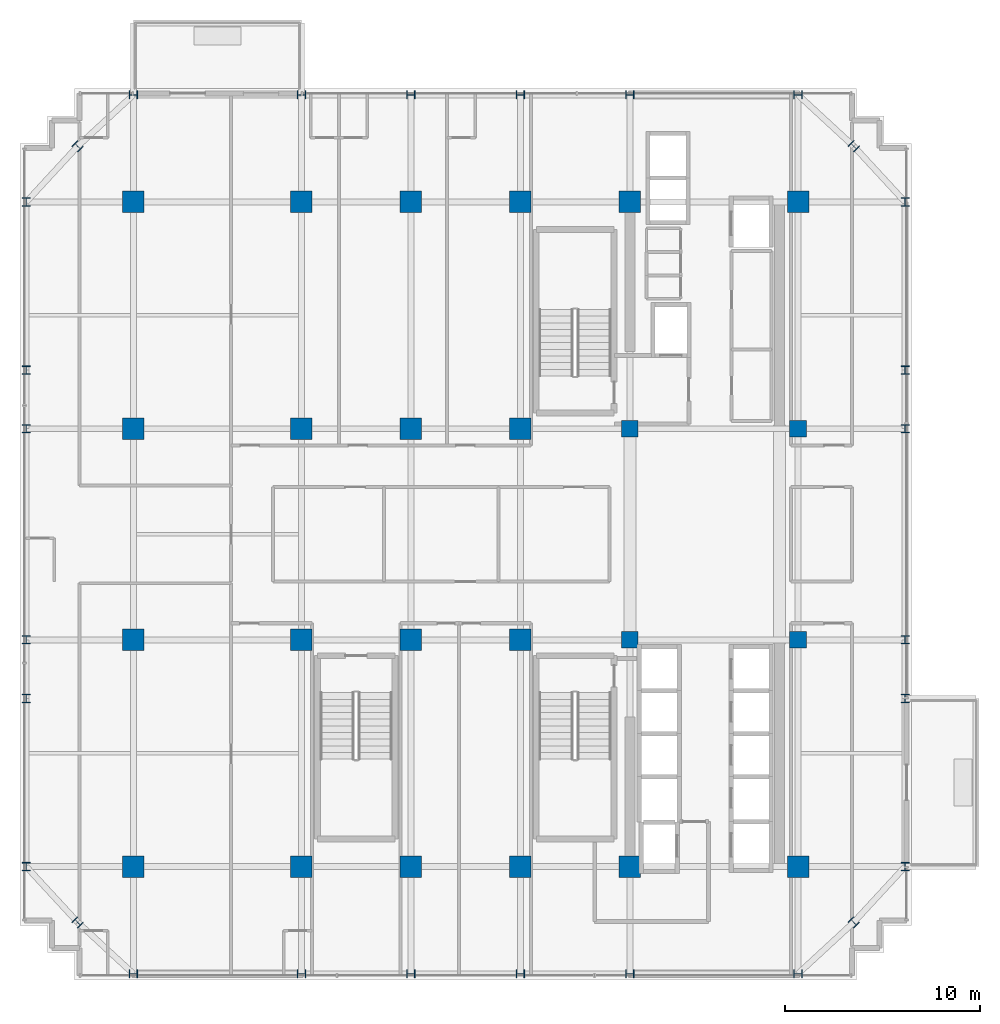
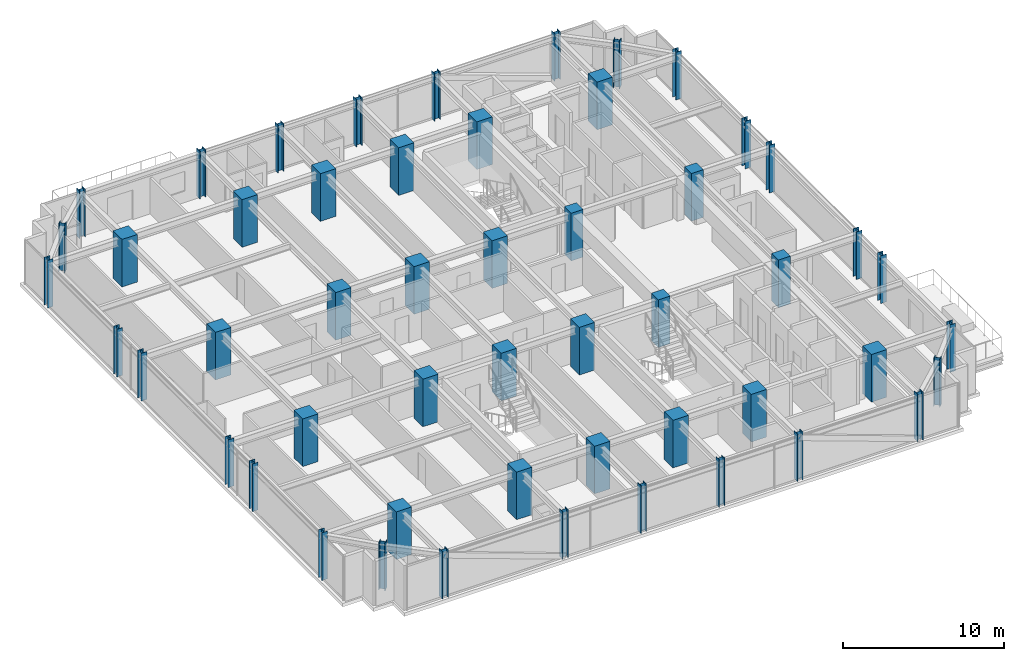
# One storey, part 1 of 29: 52 columns.
"""IFC4 building model written with IfcOpenShell, lengths in metres."""

from ifc_helpers import new_model, si_unit, direction, frame, origin, origin_2d, place, context, subcontext, project, spatial, rectangle, i_section, extrude, source, transform, mapped, material, material_profile, profile_set, type_object, element, save


model = new_model("IFC4")

# Units and contexts
model_context = context("Model", 3, precision=1e-05, world=origin(), true_north=direction((0.0, 1.0)))
body_context = subcontext(model_context, "Body", "Model", "MODEL_VIEW")
ifc_project = project(units=[si_unit("LENGTHUNIT", "METRE"), si_unit("AREAUNIT", "SQUARE_METRE"), si_unit("VOLUMEUNIT", "CUBIC_METRE"), si_unit("PLANEANGLEUNIT", "RADIAN"), si_unit("MASSUNIT", "GRAM", prefix="KILO")], contexts=[model_context])

# Site, building, storey
site_placement = place(None, origin())
site = spatial("IfcSite", under=ifc_project, at=site_placement, CompositionType="ELEMENT")
building_placement = place(site_placement, origin())
building = spatial("IfcBuilding", under=site, at=building_placement, Name="Nahalor Promenade Grand Hotel", CompositionType="ELEMENT")
storey_placement = place(building_placement, frame((0.0, 0.0, 189.14990234375)))
storey = spatial("IfcBuildingStorey", under=building, at=storey_placement, Name="L48", CompositionType="ELEMENT", Elevation=189.14990234375)

# Columns
ifc_material_1 = material(Name="Concrete B-70 (C60/75)", Category="concrete")
ifc_material_profile_1 = material_profile(ifc_material_1, rectangle(XDim=0.85, YDim=0.85, at=origin_2d()), Name="RC 850x850")
ifc_profile_set_1 = profile_set([ifc_material_profile_1], Name="Concrete B-70 (C60/75)")
column_type_1 = type_object("IfcColumnType", Name="Col-Pilaster-850", PredefinedType="PILASTER", material=ifc_profile_set_1)
shared_shape_1 = source(origin(), body_context, "Body", "SweptSolid", [
    extrude(rectangle(XDim=0.85, YDim=0.85, at=origin_2d()), origin(), (0.0, 0.0, 1.0), 3.60498046875),
])
for number, where, z_axis, x_axis, name in (
    (1, (8.39990234375, -5.39990234375, 0.0), (0.0, 0.0, 1.0), (1.0, 0.0, 0.0), "COL-L48-I41"),
    (2, (8.39990234375, 5.39990234375, 0.0), (0.0, 0.0, 1.0), (1.0, 0.0, 0.0), "COL-L48-I42"),
    (3, (17.0, -5.39990234375, 0.0), (0.0, 0.0, 1.0), (1.0, 0.0, 0.0), "COL-L48-I51"),
    (4, (17.0, 5.39990234375, 0.0), (0.0, 0.0, 1.0), (1.0, 0.0, 0.0), "COL-L48-I52"),
):
    element("IfcColumn", number, at=place(storey_placement, frame(where, z_axis=z_axis, x_axis=x_axis)), inside=storey, type_object=column_type_1, Name=name, PredefinedType="PILASTER", context=body_context, shape_type="MappedRepresentation", body=[
        mapped(shared_shape_1, transform((0.0, 0.0, 0.0), scale=1.0)),
    ])
ifc_material_2 = material(Name="Concrete B-60 (C50/60)", Category="concrete")
ifc_material_profile_2 = material_profile(ifc_material_2, rectangle(XDim=1.1, YDim=1.1, at=origin_2d()), Name="RC 1100x1100")
ifc_profile_set_2 = profile_set([ifc_material_profile_2], Name="Concrete B-60 (C50/60)")
column_type_2 = type_object("IfcColumnType", Name="Col-RC-1100", PredefinedType="COLUMN", material=ifc_profile_set_2)
shared_shape_2 = source(origin(), body_context, "Body", "SweptSolid", [
    extrude(rectangle(XDim=1.1, YDim=1.1, at=origin_2d()), origin(), (0.0, 0.0, 1.0), 3.60498046875),
])
for number, where, z_axis, x_axis, name in (
    (5, (-17.0, -17.0, 0.0), (0.0, 0.0, 1.0), (1.0, 0.0, 0.0), "COL-L48-I00"),
    (6, (-17.0, -5.39990234375, 0.0), (0.0, 0.0, 1.0), (1.0, 0.0, 0.0), "COL-L48-I01"),
    (7, (-17.0, 5.39990234375, 0.0), (0.0, 0.0, 1.0), (1.0, 0.0, 0.0), "COL-L48-I02"),
    (8, (-17.0, 17.0, 0.0), (0.0, 0.0, 1.0), (1.0, 0.0, 0.0), "COL-L48-I03"),
    (9, (-8.39990234375, -17.0, 0.0), (0.0, 0.0, 1.0), (1.0, 0.0, 0.0), "COL-L48-I10"),
    (10, (-8.39990234375, -5.39990234375, 0.0), (0.0, 0.0, 1.0), (1.0, 0.0, 0.0), "COL-L48-I11"),
    (11, (-8.39990234375, 5.39990234375, 0.0), (0.0, 0.0, 1.0), (1.0, 0.0, 0.0), "COL-L48-I12"),
    (12, (-8.39990234375, 17.0, 0.0), (0.0, 0.0, 1.0), (1.0, 0.0, 0.0), "COL-L48-I13"),
    (13, (-2.800048828125, -17.0, 0.0), (0.0, 0.0, 1.0), (1.0, 0.0, 0.0), "COL-L48-I20"),
    (14, (-2.800048828125, -5.39990234375, 0.0), (0.0, 0.0, 1.0), (1.0, 0.0, 0.0), "COL-L48-I21"),
    (15, (-2.800048828125, 5.39990234375, 0.0), (0.0, 0.0, 1.0), (1.0, 0.0, 0.0), "COL-L48-I22"),
    (16, (-2.800048828125, 17.0, 0.0), (0.0, 0.0, 1.0), (1.0, 0.0, 0.0), "COL-L48-I23"),
    (17, (2.800048828125, -17.0, 0.0), (0.0, 0.0, 1.0), (1.0, 0.0, 0.0), "COL-L48-I30"),
    (18, (2.800048828125, -5.39990234375, 0.0), (0.0, 0.0, 1.0), (1.0, 0.0, 0.0), "COL-L48-I31"),
    (19, (2.800048828125, 5.39990234375, 0.0), (0.0, 0.0, 1.0), (1.0, 0.0, 0.0), "COL-L48-I32"),
    (20, (2.800048828125, 17.0, 0.0), (0.0, 0.0, 1.0), (1.0, 0.0, 0.0), "COL-L48-I33"),
    (21, (8.39990234375, -17.0, 0.0), (0.0, 0.0, 1.0), (1.0, 0.0, 0.0), "COL-L48-I40"),
    (22, (8.39990234375, 17.0, 0.0), (0.0, 0.0, 1.0), (1.0, 0.0, 0.0), "COL-L48-I43"),
    (23, (17.0, -17.0, 0.0), (0.0, 0.0, 1.0), (1.0, 0.0, 0.0), "COL-L48-I50"),
    (24, (17.0, 17.0, 0.0), (0.0, 0.0, 1.0), (1.0, 0.0, 0.0), "COL-L48-I53"),
):
    element("IfcColumn", number, at=place(storey_placement, frame(where, z_axis=z_axis, x_axis=x_axis)), inside=storey, type_object=column_type_2, Name=name, PredefinedType="COLUMN", context=body_context, shape_type="MappedRepresentation", body=[
        mapped(shared_shape_2, transform((0.0, 0.0, 0.0), scale=1.0)),
    ])
ifc_material_3 = material(Name="Steel S355J2", Category="steel")
ifc_material_profile_3 = material_profile(ifc_material_3, i_section(OverallWidth=0.406, OverallDepth=0.422, WebThickness=0.019, FlangeThickness=0.0305, at=origin_2d()), Name="HD 400x382")
ifc_profile_set_3 = profile_set([ifc_material_profile_3], Name="Steel S355J2")
column_type_3 = type_object("IfcColumnType", Name="Col-Steel-HD382", PredefinedType="COLUMN", material=ifc_profile_set_3)
shared_shape_3 = source(origin(), body_context, "Body", "SweptSolid", [
    extrude(i_section(OverallWidth=0.406, OverallDepth=0.422, WebThickness=0.019, FlangeThickness=0.0305, at=origin_2d()), origin(), (0.0, 0.0, 1.0), 3.60498046875),
])
for number, where, z_axis, x_axis, name in (
    (25, (-22.47998046875, -17.0, 0.0), (0.0, 0.0, 1.0), (1.0, 0.0, 0.0), "COL-L48-PW-W0"),
    (26, (22.47998046875, -17.0, 0.0), (0.0, 0.0, 1.0), (1.0, 0.0, 0.0), "COL-L48-PW-E0"),
    (27, (-22.47998046875, -8.39990234375, 0.0), (0.0, 0.0, 1.0), (1.0, 0.0, 0.0), "COL-L48-PW-W1"),
    (28, (22.47998046875, -8.39990234375, 0.0), (0.0, 0.0, 1.0), (1.0, 0.0, 0.0), "COL-L48-PW-E1"),
    (29, (-22.47998046875, -5.39990234375, 0.0), (0.0, 0.0, 1.0), (1.0, 0.0, 0.0), "COL-L48-PW-W2"),
    (30, (22.47998046875, -5.39990234375, 0.0), (0.0, 0.0, 1.0), (1.0, 0.0, 0.0), "COL-L48-PW-E2"),
    (31, (-22.47998046875, 5.39990234375, 0.0), (0.0, 0.0, 1.0), (1.0, 0.0, 0.0), "COL-L48-PW-W3"),
    (32, (22.47998046875, 5.39990234375, 0.0), (0.0, 0.0, 1.0), (1.0, 0.0, 0.0), "COL-L48-PW-E3"),
    (33, (-22.47998046875, 8.39990234375, 0.0), (0.0, 0.0, 1.0), (1.0, 0.0, 0.0), "COL-L48-PW-W4"),
    (34, (22.47998046875, 8.39990234375, 0.0), (0.0, 0.0, 1.0), (1.0, 0.0, 0.0), "COL-L48-PW-E4"),
    (35, (-22.47998046875, 17.0, 0.0), (0.0, 0.0, 1.0), (1.0, 0.0, 0.0), "COL-L48-PW-W5"),
    (36, (22.47998046875, 17.0, 0.0), (0.0, 0.0, 1.0), (1.0, 0.0, 0.0), "COL-L48-PW-E5"),
    (37, (-17.0, -22.47998046875, 0.0), (0.0, 0.0, 1.0), (0.0, 1.0, 0.0), "COL-L48-PN-S0"),
    (38, (-17.0, 22.47998046875, 0.0), (0.0, 0.0, 1.0), (0.0, 1.0, 0.0), "COL-L48-PN-N0"),
    (39, (-8.39990234375, -22.47998046875, 0.0), (0.0, 0.0, 1.0), (0.0, 1.0, 0.0), "COL-L48-PN-S1"),
    (40, (-8.39990234375, 22.47998046875, 0.0), (0.0, 0.0, 1.0), (0.0, 1.0, 0.0), "COL-L48-PN-N1"),
    (41, (-2.800048828125, -22.47998046875, 0.0), (0.0, 0.0, 1.0), (0.0, 1.0, 0.0), "COL-L48-PN-S2"),
    (42, (-2.800048828125, 22.47998046875, 0.0), (0.0, 0.0, 1.0), (0.0, 1.0, 0.0), "COL-L48-PN-N2"),
    (43, (2.800048828125, -22.47998046875, 0.0), (0.0, 0.0, 1.0), (0.0, 1.0, 0.0), "COL-L48-PN-S3"),
    (44, (2.800048828125, 22.47998046875, 0.0), (0.0, 0.0, 1.0), (0.0, 1.0, 0.0), "COL-L48-PN-N3"),
    (45, (8.39990234375, -22.47998046875, 0.0), (0.0, 0.0, 1.0), (0.0, 1.0, 0.0), "COL-L48-PN-S4"),
    (46, (8.39990234375, 22.47998046875, 0.0), (0.0, 0.0, 1.0), (0.0, 1.0, 0.0), "COL-L48-PN-N4"),
    (47, (17.0, -22.47998046875, 0.0), (0.0, 0.0, 1.0), (0.0, 1.0, 0.0), "COL-L48-PN-S5"),
    (48, (17.0, 22.47998046875, 0.0), (0.0, 0.0, 1.0), (0.0, 1.0, 0.0), "COL-L48-PN-N5"),
    (49, (-19.85009765625, -19.85009765625, 0.0), (0.0, 0.0, 1.0), (0.707106781187, 0.707106781187, 0.0), "COL-L48-CRN-SW"),
    (50, (-19.85009765625, 19.85009765625, 0.0), (0.0, 0.0, 1.0), (0.707106781187, 0.707106781187, 0.0), "COL-L48-CRN-NW"),
    (51, (19.85009765625, -19.85009765625, 0.0), (0.0, 0.0, 1.0), (0.707106781187, 0.707106781187, 0.0), "COL-L48-CRN-SE"),
    (52, (19.85009765625, 19.85009765625, 0.0), (0.0, 0.0, 1.0), (0.707106781187, 0.707106781187, 0.0), "COL-L48-CRN-NE"),
):
    element("IfcColumn", number, at=place(storey_placement, frame(where, z_axis=z_axis, x_axis=x_axis)), inside=storey, type_object=column_type_3, Name=name, PredefinedType="COLUMN", context=body_context, shape_type="MappedRepresentation", body=[
        mapped(shared_shape_3, transform((0.0, 0.0, 0.0), scale=1.0)),
    ])

save(model, "model.ifc")
